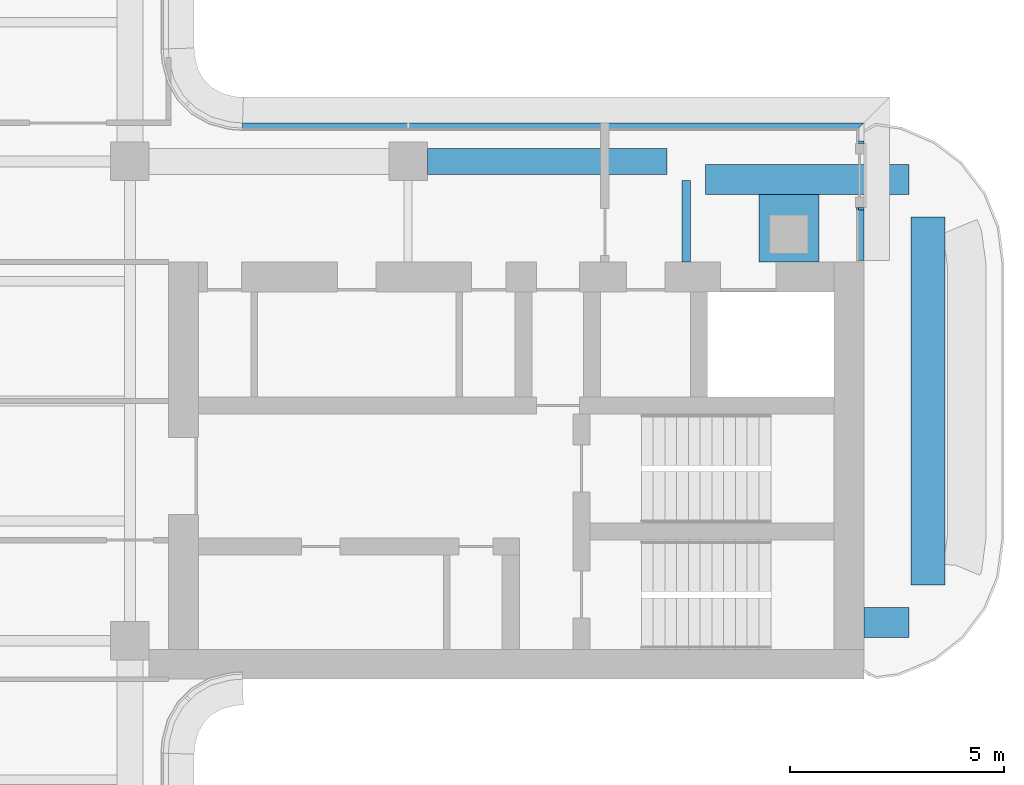
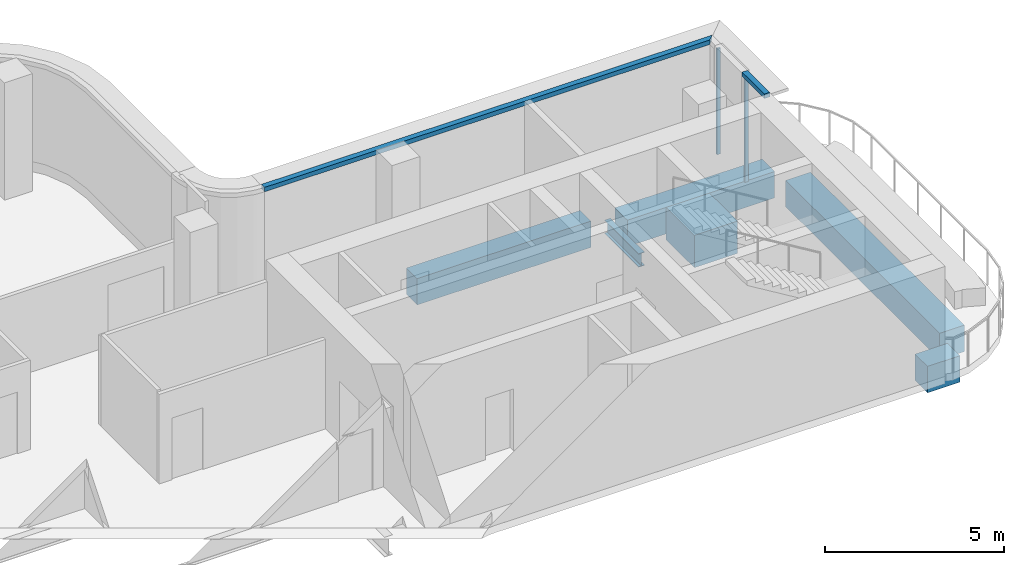
# One storey, part 6 of 18: 6 beams, 4 members, 3 elements without a shape of their own.
"""IFC4 building model written with IfcOpenShell, lengths in metres."""

from ifc_helpers import new_model, si_unit, direction, frame, origin, origin_2d, place, context, subcontext, project, spatial, polyline, rectangle, i_section, outline, extrude, source, transform, mapped, material, layer, layer_set, material_profile, profile_set, type_object, element, aggregate, save


model = new_model("IFC4")

# Units and contexts
model_context = context("Model", 3, precision=1e-05, world=origin(), true_north=direction((0.0, 1.0)))
body_context = subcontext(model_context, "Body", "Model", "MODEL_VIEW")
ifc_project = project(units=[si_unit("LENGTHUNIT", "METRE"), si_unit("AREAUNIT", "SQUARE_METRE"), si_unit("VOLUMEUNIT", "CUBIC_METRE"), si_unit("PLANEANGLEUNIT", "RADIAN"), si_unit("MASSUNIT", "GRAM", prefix="KILO")], contexts=[model_context])

# Site, building, storey
site_placement = place(None, origin())
site = spatial("IfcSite", under=ifc_project, at=site_placement, CompositionType="ELEMENT")
building_placement = place(site_placement, origin())
building = spatial("IfcBuilding", under=site, at=building_placement, Name="Trellis Farm Tower", CompositionType="ELEMENT")
storey_placement = place(building_placement, frame((0.0, 0.0, 338.10009765625)))
storey = spatial("IfcBuildingStorey", under=building, at=storey_placement, Name="L76", CompositionType="ELEMENT", Elevation=338.10009765625)

# Curtain wall, member
ifc_material_1 = material(Name="Aluminium and glass curtain wall", Category="aluminium")
ifc_layer_1 = layer(ifc_material_1, 0.176025390625)
ifc_layer_set_1 = layer_set([ifc_layer_1], Name="CROWN LANTERN CURTAIN WALL CW5")
curtain_wall_type = type_object("IfcCurtainWallType", Name="CROWN LANTERN CURTAIN WALL CW5", PredefinedType="NOTDEFINED", material=ifc_layer_set_1)
placement_1 = place(storey_placement, origin())
curtain_wall_1 = element("IfcCurtainWall", 1, at=placement_1, inside=storey, type_object=curtain_wall_type, Name="CW5 006", PredefinedType="NOTDEFINED")
ifc_material_2 = material(Name="Aluminium extrusion 6063-T6", Category="aluminium")
ifc_layer_2 = layer(ifc_material_2, 0.176025390625)
ifc_layer_set_2 = layer_set([ifc_layer_2], Name="Aluminium extrusion 6063-T6")
member_type_1 = type_object("IfcMemberType", Name="CW5 TRANSOM 176x150", PredefinedType="USERDEFINED", material=ifc_layer_set_2)
placement_2 = place(storey_placement, frame((0.0, 0.0, 3.599853515625)))
member_1 = element("IfcMember", 2, at=placement_2, type_object=member_type_1, Name="TR5 006", ObjectType="TRANSOM", PredefinedType="USERDEFINED", context=body_context, shape_type="SweptSolid", body=[
    extrude(outline(polyline([(22.75, 3.280029296875), (22.75, 4.52001953125), (22.573974609375, 4.52001953125), (22.573974609375, 3.280029296875), (22.75, 3.280029296875)])), origin(), (0.0, 0.0, 1.0), 0.150146484375),
])

# Beams
ifc_material_3 = material(Name="Concrete C60/75", Category="concrete")
ifc_material_profile_1 = material_profile(ifc_material_3, rectangle(XDim=0.60009765625, YDim=0.89990234375, at=origin_2d()), Name="RC spandrel beam 600x900 C60/75")
ifc_profile_set_1 = profile_set([ifc_material_profile_1], Name="Concrete C60/75")
beam_type_1 = type_object("IfcBeamType", Name="RC spandrel beam 600x900 C60/75", PredefinedType="SPANDREL", material=ifc_profile_set_1)
shared_shape_1 = source(origin(), body_context, "Body", "SweptSolid", [
    extrude(rectangle(XDim=0.60009765625, YDim=0.89990234375, at=origin_2d()), origin(), (0.0, 0.0, 1.0), 5.599853515625),
])
beam_1_placement = place(storey_placement, frame((12.550048828125, 5.60009765625, -0.7001953125), z_axis=(1.0, 0.0, 0.0), x_axis=(0.0, 1.0, 0.0)))
element("IfcBeam", 3, at=beam_1_placement, inside=storey, type_object=beam_type_1, Name="Girder", PredefinedType="SPANDREL", context=body_context, shape_type="MappedRepresentation", body=[
    mapped(shared_shape_1, transform((0.0, 0.0, 0.0))),
])
ifc_material_profile_2 = material_profile(ifc_material_3, rectangle(XDim=0.699951171875, YDim=0.89990234375, at=origin_2d()), Name="RC spandrel beam 700x900 C60/75")
ifc_profile_set_2 = profile_set([ifc_material_profile_2], Name="Concrete C60/75")
beam_type_2 = type_object("IfcBeamType", Name="RC spandrel beam 700x900 C60/75", PredefinedType="SPANDREL", material=ifc_profile_set_2)
shared_shape_2 = source(origin(), body_context, "Body", "SweptSolid", [
    extrude(rectangle(XDim=0.699951171875, YDim=0.89990234375, at=origin_2d()), origin(), (0.0, 0.0, 1.0), 1.050048828125),
])
beam_2_placement = place(storey_placement, frame((22.75, -5.175048828125, -0.7001953125), z_axis=(1.0, 0.0, 0.0), x_axis=(0.0, 1.0, 0.0)))
element("IfcBeam", 4, at=beam_2_placement, inside=storey, type_object=beam_type_2, Name="Girder", PredefinedType="SPANDREL", context=body_context, shape_type="MappedRepresentation", body=[
    mapped(shared_shape_2, transform((0.0, 0.0, 0.0))),
])
shared_shape_3 = source(origin(), body_context, "Body", "SweptSolid", [
    extrude(rectangle(XDim=0.699951171875, YDim=0.89990234375, at=origin_2d()), origin(), (0.0, 0.0, 1.0), 4.75),
])
beam_3_placement = place(storey_placement, frame((19.050048828125, 5.175048828125, -0.7001953125), z_axis=(1.0, 0.0, 0.0), x_axis=(0.0, 1.0, 0.0)))
element("IfcBeam", 5, at=beam_3_placement, inside=storey, type_object=beam_type_2, Name="Girder", PredefinedType="SPANDREL", context=body_context, shape_type="MappedRepresentation", body=[
    mapped(shared_shape_3, transform((0.0, 0.0, 0.0))),
])
ifc_material_profile_3 = material_profile(ifc_material_3, rectangle(XDim=0.800048828125, YDim=0.89990234375, at=origin_2d()), Name="RC spandrel beam 800x900 C60/75")
ifc_profile_set_3 = profile_set([ifc_material_profile_3], Name="Concrete C60/75")
beam_type_3 = type_object("IfcBeamType", Name="RC spandrel beam 800x900 C60/75", PredefinedType="SPANDREL", material=ifc_profile_set_3)
shared_shape_4 = source(origin(), body_context, "Body", "SweptSolid", [
    extrude(rectangle(XDim=0.800048828125, YDim=0.89990234375, at=origin_2d()), origin(), (0.0, 0.0, 1.0), 8.60009765625),
])
beam_4_placement = place(storey_placement, frame((24.25, -4.300048828125, -0.7001953125), z_axis=(0.0, 1.0, 0.0), x_axis=(-1.0, 0.0, 0.0)))
element("IfcBeam", 6, at=beam_4_placement, inside=storey, type_object=beam_type_3, Name="Girder", PredefinedType="SPANDREL", context=body_context, shape_type="MappedRepresentation", body=[
    mapped(shared_shape_4, transform((0.0, 0.0, 0.0))),
])
ifc_material_4 = material(Name="Steel S355", Category="steel")
ifc_material_profile_4 = material_profile(ifc_material_4, i_section(OverallWidth=0.1904296875, OverallDepth=0.45703125, WebThickness=0.009033203125, FlangeThickness=0.014404296875, FilletRadius=0.01025390625, at=origin_2d()), Name="UB 457x191x74")
ifc_profile_set_4 = profile_set([ifc_material_profile_4], Name="Steel S355")
beam_type_4 = type_object("IfcBeamType", Name="UB 457x191x74", PredefinedType="BEAM", material=ifc_profile_set_4)
shared_shape_5 = source(origin(), body_context, "Body", "SweptSolid", [
    extrude(i_section(OverallWidth=0.1904296875, OverallDepth=0.45703125, WebThickness=0.009033203125, FlangeThickness=0.014404296875, FilletRadius=0.01025390625, at=origin_2d()), origin(), (0.0, 0.0, 1.0), 1.89990234375),
])
beam_5_placement = place(storey_placement, frame((18.60009765625, 3.25, -0.478515625), z_axis=(0.0, 1.0, 0.0), x_axis=(-1.0, 0.0, 0.0)))
element("IfcBeam", 7, at=beam_5_placement, inside=storey, type_object=beam_type_4, Name="Girder", PredefinedType="BEAM", context=body_context, shape_type="MappedRepresentation", body=[
    mapped(shared_shape_5, transform((0.0, 0.0, 0.0))),
])
ifc_material_5 = material(Name="Concrete C80/95", Category="concrete")
ifc_material_profile_5 = material_profile(ifc_material_5, rectangle(XDim=1.39990234375, YDim=1.10009765625, at=origin_2d()), Name="RC transfer beam 1400x1100 C80/95")
ifc_profile_set_5 = profile_set([ifc_material_profile_5], Name="Concrete C80/95")
beam_type_5 = type_object("IfcBeamType", Name="RC transfer beam 1400x1100 C80/95", PredefinedType="BEAM", material=ifc_profile_set_5)
shared_shape_6 = source(origin(), body_context, "Body", "SweptSolid", [
    extrude(rectangle(XDim=1.39990234375, YDim=1.10009765625, at=origin_2d()), origin(), (0.0, 0.0, 1.0), 1.574951171875),
])
beam_6_placement = place(storey_placement, frame((21.0, 3.25, -0.800048828125), z_axis=(0.0, 1.0, 0.0), x_axis=(-1.0, 0.0, 0.0)))
element("IfcBeam", 8, at=beam_6_placement, inside=storey, type_object=beam_type_5, Name="Transfer girder", PredefinedType="BEAM", context=body_context, shape_type="MappedRepresentation", body=[
    mapped(shared_shape_6, transform((0.0, 0.0, 0.0))),
])

# Member
ifc_material_profile_6 = material_profile(ifc_material_2, rectangle(XDim=0.06005859375, YDim=0.1201171875, at=origin_2d()), Name="MULLION 60x120")
ifc_profile_set_6 = profile_set([ifc_material_profile_6], Name="Aluminium extrusion 6063-T6")
member_type_2 = type_object("IfcMemberType", Name="CW5 MULLION 60x120", PredefinedType="MULLION", material=ifc_profile_set_6)
shared_shape_7 = source(origin(), body_context, "Body", "SweptSolid", [
    extrude(rectangle(XDim=0.06005859375, YDim=0.1201171875, at=origin_2d()), origin(), (0.0, 0.0, 1.0), 3.599853515625),
])
member_2_placement = place(storey_placement, frame((22.68994140625, 4.489990234375, 0.0), z_axis=(0.0, 0.0, 1.0), x_axis=(0.0, 1.0, 0.0)))
member_2 = element("IfcMember", 9, at=member_2_placement, type_object=member_type_2, Name="MU5 006-01", PredefinedType="MULLION", context=body_context, shape_type="MappedRepresentation", body=[
    mapped(shared_shape_7, transform((0.0, 0.0, 0.0))),
])

aggregate(curtain_wall_1, [member_2, member_1])

# Curtain wall, member
curtain_wall_2 = element("IfcCurtainWall", 10, at=placement_1, inside=storey, type_object=curtain_wall_type, Name="CW5 007", PredefinedType="NOTDEFINED")
member_3_placement = place(storey_placement, frame((22.68994140625, 6.050048828125, 0.0), z_axis=(0.0, 0.0, 1.0), x_axis=(0.0, 1.0, 0.0)))
member_3 = element("IfcMember", 11, at=member_3_placement, type_object=member_type_2, Name="MU5 007-01", PredefinedType="MULLION", context=body_context, shape_type="MappedRepresentation", body=[
    mapped(shared_shape_7, transform((0.0, 0.0, 0.0))),
])
aggregate(curtain_wall_2, [member_3])

curtain_wall_3 = element("IfcCurtainWall", 12, at=placement_1, inside=storey, type_object=curtain_wall_type, Name="CW5 008", PredefinedType="NOTDEFINED")
shared_shape_8 = source(origin(), body_context, "Body", "SweptSolid", [
    extrude(outline(polyline([(22.75, 6.5), (8.2314453125, 6.5), (8.2255859375, 6.323974609375), (22.573974609375, 6.323974609375), (22.75, 6.5)])), origin(), (0.0, 0.0, 1.0), 0.150146484375),
])
member_4 = element("IfcMember", 13, at=placement_2, type_object=member_type_1, Name="TR5 008", ObjectType="TRANSOM", PredefinedType="USERDEFINED", context=body_context, shape_type="MappedRepresentation", body=[
    mapped(shared_shape_8, transform((0.0, 0.0, 0.0))),
])
aggregate(curtain_wall_3, [member_4])

save(model, "model.ifc")
